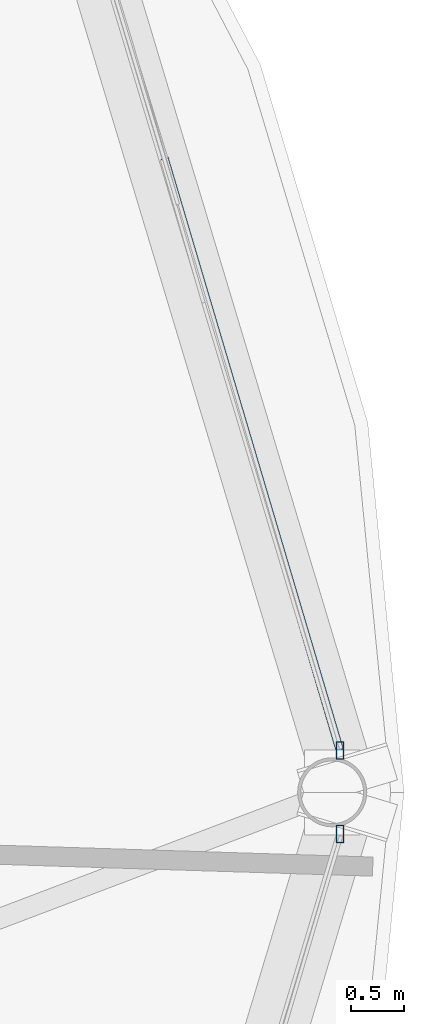
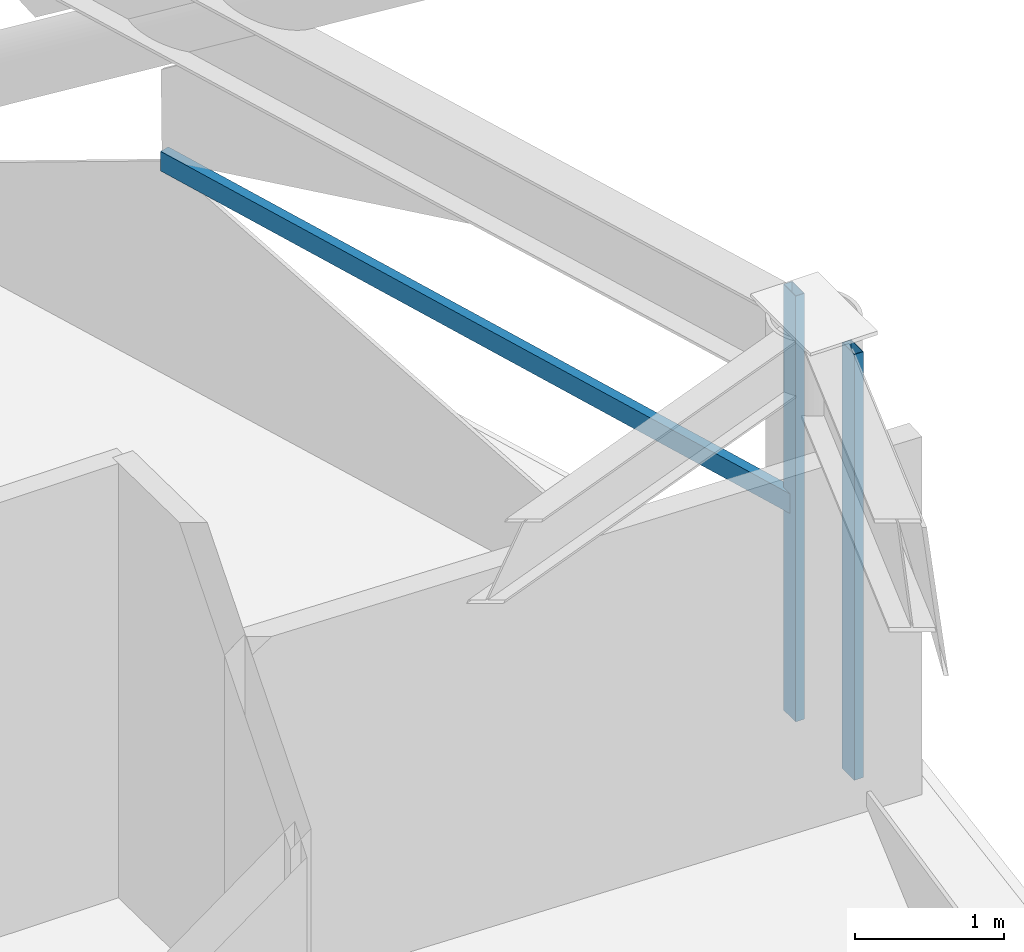
# One storey, part 13 of 29: 3 members, 2 elements without a shape of their own.
"""IFC4 building model written with IfcOpenShell, lengths in metres."""

from ifc_helpers import new_model, si_unit, direction, frame, origin, origin_2d, place, context, subcontext, project, spatial, hollow_rectangle, extrude, material, layer, layer_set, material_profile, profile_set, type_object, element, aggregate, save


model = new_model("IFC4")

# Units and contexts
model_context = context("Model", 3, precision=1e-05, world=origin(), true_north=direction((0.0, 1.0)))
body_context = subcontext(model_context, "Body", "Model", "MODEL_VIEW")
ifc_project = project(units=[si_unit("LENGTHUNIT", "METRE"), si_unit("AREAUNIT", "SQUARE_METRE"), si_unit("VOLUMEUNIT", "CUBIC_METRE"), si_unit("PLANEANGLEUNIT", "RADIAN"), si_unit("MASSUNIT", "GRAM", prefix="KILO")], contexts=[model_context])

# Site, building, storey
site_placement = place(None, origin())
site = spatial("IfcSite", under=ifc_project, at=site_placement, CompositionType="ELEMENT")
building_placement = place(site_placement, origin())
building = spatial("IfcBuilding", under=site, at=building_placement, Name="Vantalir Tower", CompositionType="ELEMENT")
storey_placement = place(building_placement, frame((0.0, 0.0, 234.89990234375)))
storey = spatial("IfcBuildingStorey", under=building, at=storey_placement, Name="L59", CompositionType="ELEMENT", Elevation=234.89990234375)

# Curtain wall, member
ifc_material_1 = material(Name="Champagne-silver PVDF aluminium and double-silver Low-E glass", Category="aluminium")
ifc_layer = layer(ifc_material_1, 0.2099609375)
ifc_layer_set = layer_set([ifc_layer], Name="Champagne-silver PVDF aluminium and double-silver Low-E glass")
curtain_wall_type = type_object("IfcCurtainWallType", Name="CW-DIAMOND-Z3", PredefinedType="USERDEFINED", material=ifc_layer_set)
curtain_wall_1_placement = place(storey_placement, origin())
curtain_wall_1 = element("IfcCurtainWall", 1, at=curtain_wall_1_placement, inside=storey, type_object=curtain_wall_type, Name="L59 Quilted Pyramid-Diamond Curtain Wall S01", ObjectType="UNITISED CURTAIN WALL", PredefinedType="USERDEFINED")
ifc_material_2 = material(Name="Champagne-silver PVDF aluminium 6063-T6", Category="aluminium")
ifc_material_profile_1 = material_profile(ifc_material_2, hollow_rectangle(XDim=0.070068359375, YDim=0.1650390625, WallThickness=0.00390625, at=origin_2d()), Name="Champagne-silver PVDF aluminium 6063-T6")
ifc_profile_set_1 = profile_set([ifc_material_profile_1], Name="Champagne-silver PVDF aluminium 6063-T6")
member_type_1 = type_object("IfcMemberType", Name="CWM-165x70", PredefinedType="MULLION", material=ifc_profile_set_1)
member_1_placement = place(storey_placement, frame((53.2900390625, 25.39306640625, 0.045166015625), z_axis=(0.0, 0.0, 1.0), x_axis=(1.0, 0.0, 0.0)))
member_1 = element("IfcMember", 2, at=member_1_placement, type_object=member_type_1, Name="CW-L59-S01 Mullion 1", PredefinedType="MULLION", context=body_context, shape_type="SweptSolid", body=[
    extrude(hollow_rectangle(XDim=0.070068359375, YDim=0.1650390625, WallThickness=0.00390625, at=origin_2d()), origin(), (0.0, 0.0, 1.0), 3.47998046875),
])

curtain_wall_2_placement = place(storey_placement, origin())
curtain_wall_2 = element("IfcCurtainWall", 3, at=curtain_wall_2_placement, inside=storey, type_object=curtain_wall_type, Name="L59 Quilted Pyramid-Diamond Curtain Wall S12", ObjectType="UNITISED CURTAIN WALL", PredefinedType="USERDEFINED")
member_2_placement = place(storey_placement, frame((53.2900390625, 24.60693359375, 0.045166015625), z_axis=(0.0, 0.0, 1.0), x_axis=(1.0, 0.0, 0.0)))
member_2 = element("IfcMember", 4, at=member_2_placement, type_object=member_type_1, Name="CW-L59-S12 Mullion 2", PredefinedType="MULLION", context=body_context, shape_type="SweptSolid", body=[
    extrude(hollow_rectangle(XDim=0.070068359375, YDim=0.1650390625, WallThickness=0.00390625, at=origin_2d()), origin(), (0.0, 0.0, 1.0), 3.47998046875),
])
aggregate(curtain_wall_2, [member_2])

# Member
ifc_material_profile_2 = material_profile(ifc_material_2, hollow_rectangle(XDim=0.074951171875, YDim=0.159912109375, WallThickness=0.00390625, at=origin_2d()), Name="Champagne-silver PVDF aluminium 6063-T6")
ifc_profile_set_2 = profile_set([ifc_material_profile_2], Name="Champagne-silver PVDF aluminium 6063-T6")
member_type_2 = type_object("IfcMemberType", Name="CWT-160x75", PredefinedType="USERDEFINED", material=ifc_profile_set_2)
member_3_placement = place(storey_placement, frame((53.2900390625, 25.39306640625, 1.78515625), z_axis=(-0.284003920422, 0.958823118821, 0.0), x_axis=(-0.958823118821, -0.284003920422, 0.0)))
member_3 = element("IfcMember", 5, at=member_3_placement, type_object=member_type_2, Name="CW-L59-S01 Pyramid Fold Ridge Transom", ObjectType="TRANSOM", PredefinedType="USERDEFINED", context=body_context, shape_type="SweptSolid", body=[
    extrude(hollow_rectangle(XDim=0.074951171875, YDim=0.159912109375, WallThickness=0.00390625, at=origin_2d()), origin(), (0.0, 0.0, 1.0), 5.810302734375),
])

aggregate(curtain_wall_1, [member_1, member_3])

save(model, "model.ifc")
